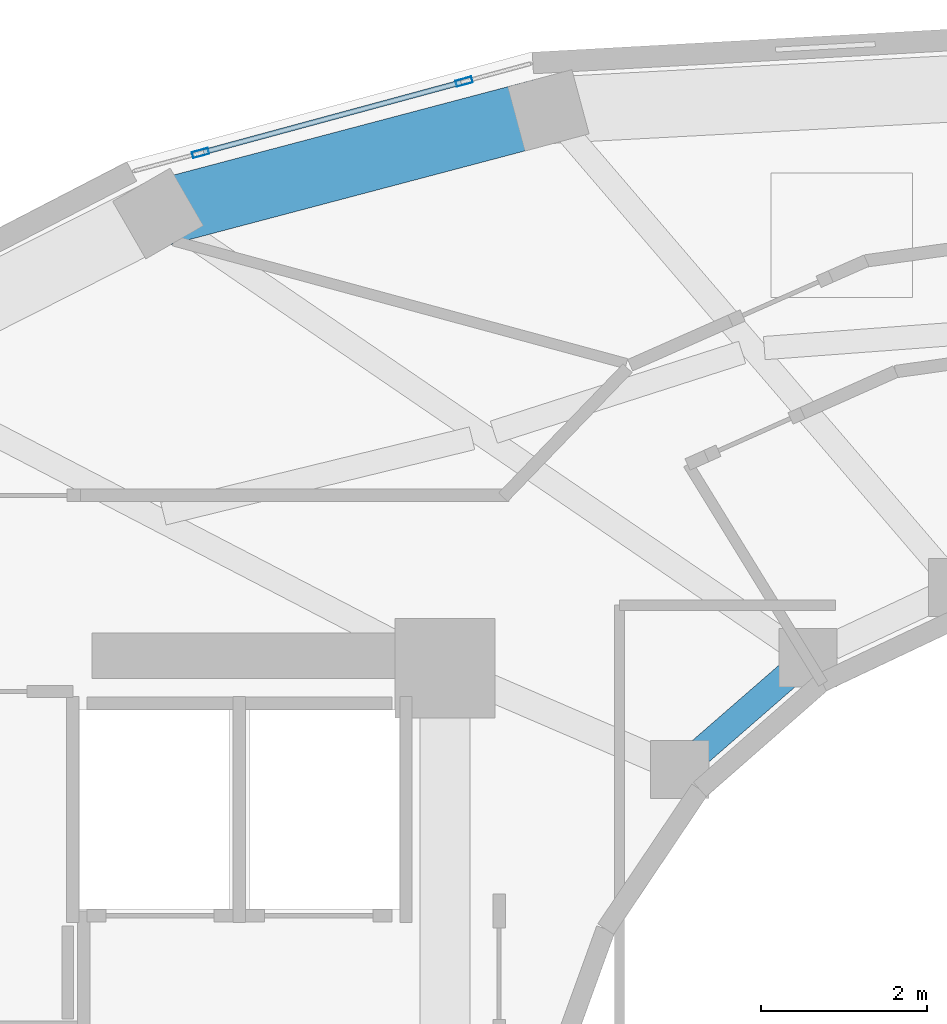
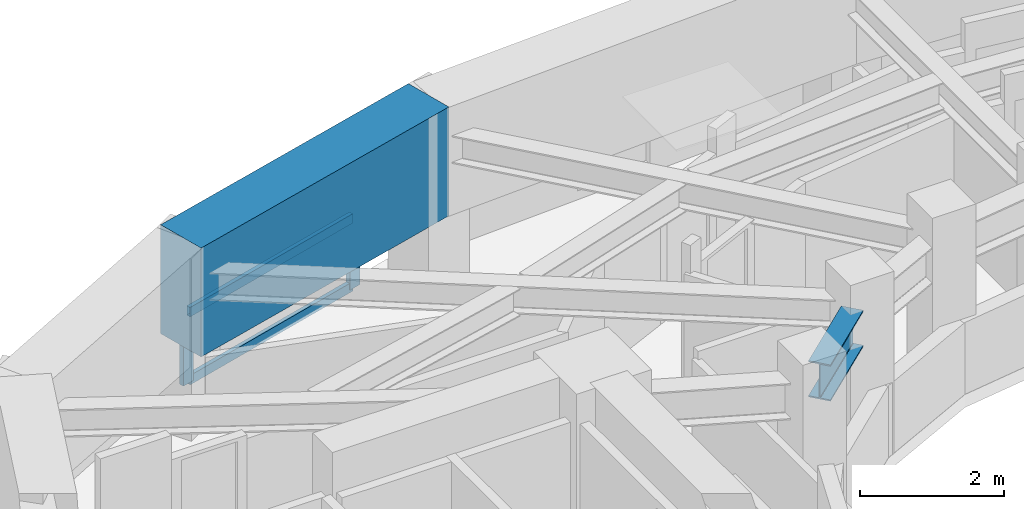
# One storey, part 6 of 19: 4 members, 2 beams, 1 element without a shape of its own.
"""IFC4 building model written with IfcOpenShell, lengths in metres."""

from ifc_helpers import new_model, si_unit, direction, frame, origin, origin_2d, place, context, subcontext, project, spatial, rectangle, hollow_rectangle, i_section, extrude, material, layer, layer_set, material_profile, profile_set, type_object, element, aggregate, save


model = new_model("IFC4")

# Units and contexts
model_context = context("Model", 3, precision=1e-05, world=origin(), true_north=direction((0.0, 1.0)))
body_context = subcontext(model_context, "Body", "Model", "MODEL_VIEW")
ifc_project = project(units=[si_unit("LENGTHUNIT", "METRE"), si_unit("AREAUNIT", "SQUARE_METRE"), si_unit("VOLUMEUNIT", "CUBIC_METRE"), si_unit("PLANEANGLEUNIT", "RADIAN"), si_unit("MASSUNIT", "GRAM", prefix="KILO")], contexts=[model_context])

# Site, building, storey
site_placement = place(None, origin())
site = spatial("IfcSite", under=ifc_project, at=site_placement, CompositionType="ELEMENT")
building_placement = place(site_placement, origin())
building = spatial("IfcBuilding", under=site, at=building_placement, Name="Solvane Sanctuary Tower", CompositionType="ELEMENT")
storey_placement = place(building_placement, frame((0.0, 0.0, 207.800048828125)))
storey = spatial("IfcBuildingStorey", under=building, at=storey_placement, Name="L63", CompositionType="ELEMENT", Elevation=207.800048828125)

# Beams
ifc_material_1 = material(Name="Steel ASTM A992 Grade 50", Category="steel")
ifc_material_profile_1 = material_profile(ifc_material_1, i_section(OverallWidth=0.324951171875, OverallDepth=0.615966796875, WebThickness=0.013916015625, FlangeThickness=0.021484375, FilletRadius=0.01611328125, at=origin_2d()), Name="W24X117")
ifc_profile_set_1 = profile_set([ifc_material_profile_1], Name="Steel ASTM A992 Grade 50")
beam_type_1 = type_object("IfcBeamType", Name="Beam B-RING-IN2 W24X117", PredefinedType="BEAM", material=ifc_profile_set_1)
beam_1_placement = place(storey_placement, frame((26.96630859375, 29.192138671875, 2.2900390625), z_axis=(0.754388985763, 0.656427648839, 0.0), x_axis=(-0.656427648839, 0.754388985763, 0.0)))
element("IfcBeam", 1, at=beam_1_placement, inside=storey, type_object=beam_type_1, Name="L63 Inner Light-Well Ring Beam IC07-IC06", PredefinedType="BEAM", context=body_context, shape_type="SweptSolid", body=[
    extrude(i_section(OverallWidth=0.324951171875, OverallDepth=0.615966796875, WebThickness=0.013916015625, FlangeThickness=0.021484375, FilletRadius=0.01611328125, at=origin_2d()), origin(), (0.0, 0.0, 1.0), 1.408203125),
])
ifc_material_2 = material(Name="Concrete C70/85", Category="concrete")
ifc_material_profile_2 = material_profile(ifc_material_2, rectangle(XDim=0.800048828125, YDim=1.85009765625, at=origin_2d()), Name="RC800X1850")
ifc_profile_set_2 = profile_set([ifc_material_profile_2], Name="Concrete C70/85")
beam_type_2 = type_object("IfcBeamType", Name="Beam B-XFER-BLK RC800X1850", PredefinedType="BEAM", material=ifc_profile_set_2)
beam_2_placement = place(storey_placement, frame((20.44482421875, 35.672607421875, 2.175048828125), z_axis=(0.966814415535, 0.255479717224, 0.0), x_axis=(-0.255479717224, 0.966814415535, 0.0)))
element("IfcBeam", 2, at=beam_2_placement, inside=storey, type_object=beam_type_2, Name="L63 Perimeter Step Transfer Ring NTC06-NTC05", PredefinedType="BEAM", context=body_context, shape_type="SweptSolid", body=[
    extrude(rectangle(XDim=0.800048828125, YDim=1.85009765625, at=origin_2d()), origin(), (0.0, 0.0, 1.0), 4.8603515625),
])

# Curtain wall, members
ifc_material_3 = material(Name="Anodised Aluminium 6063-T6", Category="aluminium")
ifc_layer = layer(ifc_material_3, 0.18994140625, Name="Anodised Aluminium 6063-T6")
ifc_layer_set = layer_set([ifc_layer], Name="Anodised Aluminium 6063-T6")
curtain_wall_type = type_object("IfcCurtainWallType", Name="Curtain Wall CW-OPER", PredefinedType="NOTDEFINED", material=ifc_layer_set)
curtain_wall_placement = place(storey_placement, origin())
curtain_wall = element("IfcCurtainWall", 3, at=curtain_wall_placement, inside=storey, type_object=curtain_wall_type, Name="L63 CW-OPER Facade Run 07", PredefinedType="NOTDEFINED")
ifc_material_profile_3 = material_profile(ifc_material_3, hollow_rectangle(XDim=0.074951171875, YDim=0.199951171875, WallThickness=0.00390625, at=origin_2d()), Name="ALU200X75X4")
ifc_profile_set_3 = profile_set([ifc_material_profile_3], Name="Anodised Aluminium 6063-T6")
member_type_1 = type_object("IfcMemberType", Name="Member M-CW-MUL-1 ALU200X75X4", PredefinedType="MULLION", material=ifc_profile_set_3)
member_1_placement = place(storey_placement, frame((24.12939453125, 37.260498046875, 0.0), z_axis=(0.0, 0.0, 1.0), x_axis=(0.261468027073, -0.965212137728, 0.0)))
member_1 = element("IfcMember", 4, at=member_1_placement, type_object=member_type_1, Name="CW-OPER mullion 1", PredefinedType="MULLION", context=body_context, shape_type="SweptSolid", body=[
    extrude(hollow_rectangle(XDim=0.074951171875, YDim=0.199951171875, WallThickness=0.00390625, at=origin_2d()), origin(), (0.0, 0.0, 1.0), 1.219970703125),
])
member_2_placement = place(storey_placement, frame((20.95751953125, 36.4013671875, 0.0), z_axis=(0.0, 0.0, 1.0), x_axis=(0.261468027073, -0.965212137728, 0.0)))
member_2 = element("IfcMember", 5, at=member_2_placement, type_object=member_type_1, Name="CW-OPER mullion 2", PredefinedType="MULLION", context=body_context, shape_type="SweptSolid", body=[
    extrude(hollow_rectangle(XDim=0.074951171875, YDim=0.199951171875, WallThickness=0.00390625, at=origin_2d()), origin(), (0.0, 0.0, 1.0), 1.219970703125),
])
ifc_material_profile_4 = material_profile(ifc_material_3, hollow_rectangle(XDim=0.06494140625, YDim=0.159912109375, WallThickness=0.00341796875, at=origin_2d()), Name="ALU160X65X3.5")
ifc_profile_set_4 = profile_set([ifc_material_profile_4], Name="Anodised Aluminium 6063-T6")
member_type_2 = type_object("IfcMemberType", Name="Member M-CW-TRN-1 ALU160X65X3.5", PredefinedType="USERDEFINED", material=ifc_profile_set_4)
member_3_placement = place(storey_placement, frame((24.093017578125, 37.250732421875, 0.032470703125), z_axis=(-0.965206383787, -0.261489266885, 0.0), x_axis=(0.261489266885, -0.965206383787, 0.0)))
member_3 = element("IfcMember", 6, at=member_3_placement, type_object=member_type_2, Name="CW-OPER transom 1.1", ObjectType="TRANSOM", PredefinedType="USERDEFINED", context=body_context, shape_type="SweptSolid", body=[
    extrude(hollow_rectangle(XDim=0.06494140625, YDim=0.159912109375, WallThickness=0.00341796875, at=origin_2d()), origin(), (0.0, 0.0, 1.0), 3.2109375),
])
member_4_placement = place(storey_placement, frame((24.093017578125, 37.250732421875, 1.1875), z_axis=(-0.965206383787, -0.261489266885, 0.0), x_axis=(0.261489266885, -0.965206383787, 0.0)))
member_4 = element("IfcMember", 7, at=member_4_placement, type_object=member_type_2, Name="CW-OPER transom 1.2", ObjectType="TRANSOM", PredefinedType="USERDEFINED", context=body_context, shape_type="SweptSolid", body=[
    extrude(hollow_rectangle(XDim=0.06494140625, YDim=0.159912109375, WallThickness=0.00341796875, at=origin_2d()), origin(), (0.0, 0.0, 1.0), 3.2109375),
])
aggregate(curtain_wall, [member_1, member_2, member_3, member_4])

save(model, "model.ifc")
